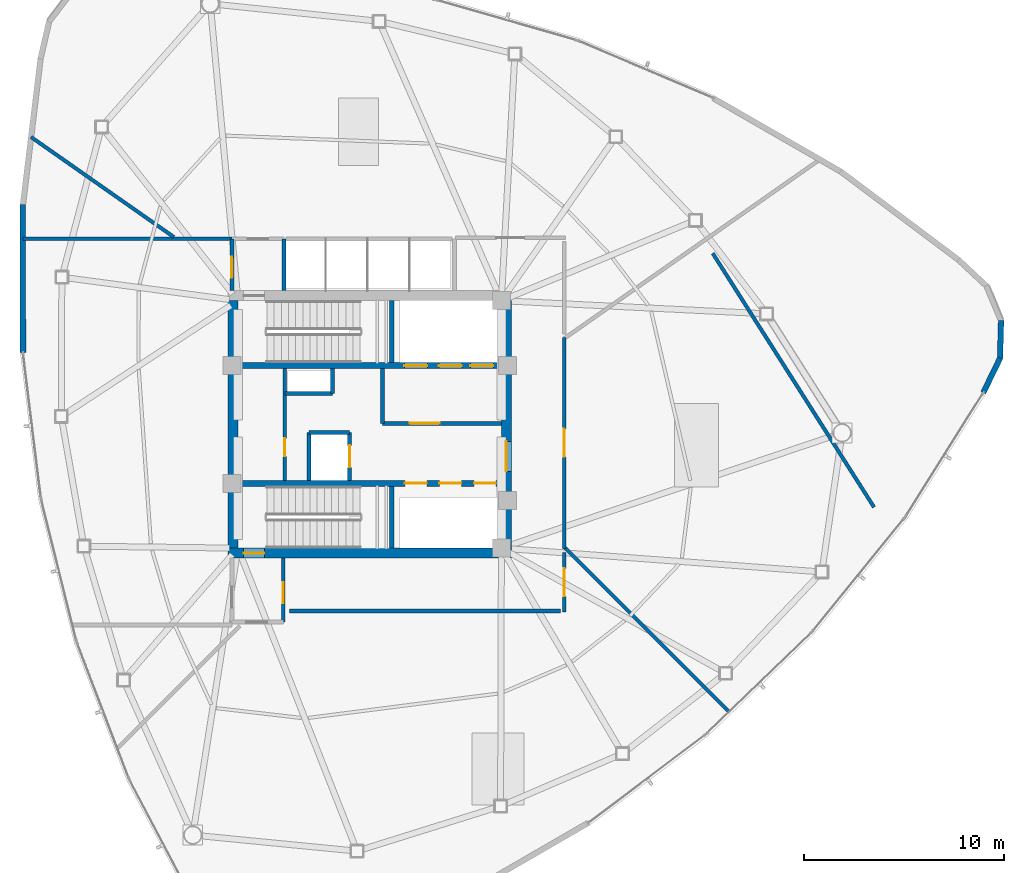
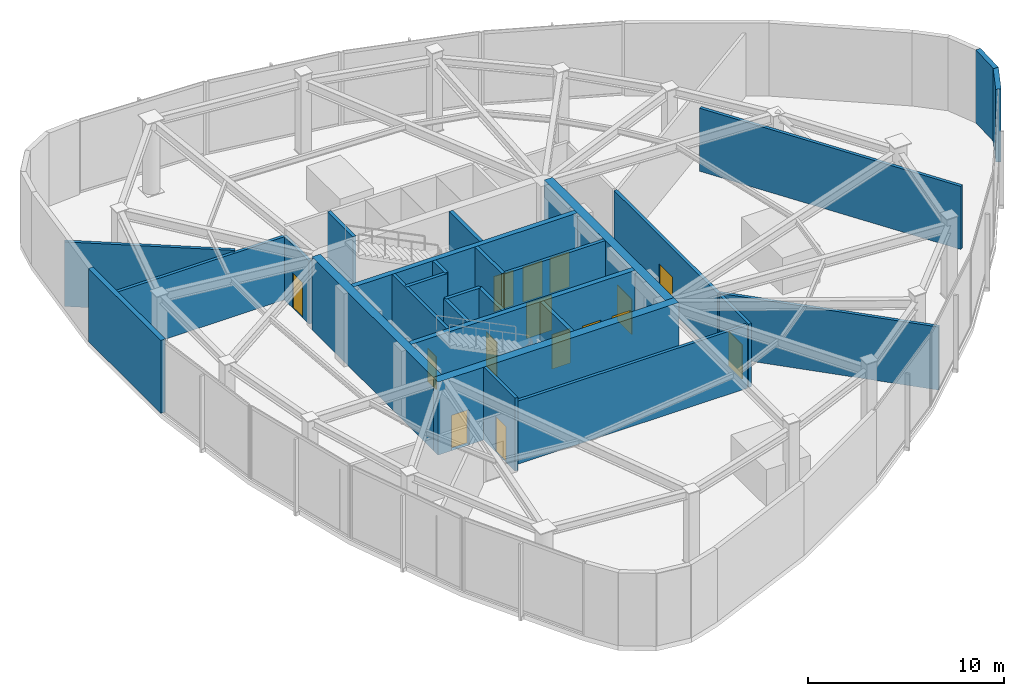
# One storey, part 11 of 17: 28 walls, 15 doors, 15 openings.
"""IFC4 building model written with IfcOpenShell, lengths in metres."""

from ifc_helpers import new_model, si_unit, direction, frame, frame_2d, origin, place, context, subcontext, project, spatial, rectangle, extrude, material, layer, layer_set, type_object, element, fill, save


model = new_model("IFC4")

# Units and contexts
model_context = context("Model", 3, precision=1e-05, world=origin(), true_north=direction((0.0, 1.0)))
body_context = subcontext(model_context, "Body", "Model", "MODEL_VIEW")
ifc_project = project(units=[si_unit("LENGTHUNIT", "METRE"), si_unit("AREAUNIT", "SQUARE_METRE"), si_unit("VOLUMEUNIT", "CUBIC_METRE"), si_unit("PLANEANGLEUNIT", "RADIAN"), si_unit("MASSUNIT", "GRAM", prefix="KILO")], contexts=[model_context])

# Site, building, storey
site_placement = place(None, origin())
site = spatial("IfcSite", under=ifc_project, at=site_placement, CompositionType="ELEMENT")
building_placement = place(site_placement, origin())
building = spatial("IfcBuilding", under=site, at=building_placement, Name="Tavelor Broadcast Tower", CompositionType="ELEMENT")
storey_placement = place(building_placement, frame((0.0, 0.0, 204.14990234375)))
storey = spatial("IfcBuildingStorey", under=building, at=storey_placement, Name="L49", CompositionType="ELEMENT", Elevation=204.14990234375)

# Wall, opening, door
ifc_material_1 = material(Name="Concrete C50/60", Category="concrete")
ifc_layer_1 = layer(ifc_material_1, 0.5)
ifc_layer_set_1 = layer_set([ifc_layer_1], Name="Concrete C50/60")
wall_type_1 = type_object("IfcWallType", Name="Core Shear Wall 500 mm", PredefinedType="SHEAR", material=ifc_layer_set_1)
wall_1_placement = place(storey_placement, frame((42.89990234375, 38.550048828125, 0.0), z_axis=(0.0, 0.0, 1.0), x_axis=(1.0, 0.0, 0.0)))
wall_1 = element("IfcWall", 1, at=wall_1_placement, inside=storey, type_object=wall_type_1, Name="L49 Central Core Shear Wall S", PredefinedType="SHEAR", context=body_context, shape_type="SweptSolid", body=[
    extrude(rectangle(XDim=14.2001953125, YDim=0.5, at=frame_2d((7.10009765625, 0.0))), origin(), (0.0, 0.0, 1.0), 4.550048828125),
])
opening_1_placement = place(wall_1_placement, frame((0.780029296875, 0.0, 0.0)))
opening_1 = element("IfcOpeningElement", 2, at=opening_1_placement, cuts=wall_1, Name="Opening DR11", PredefinedType="OPENING", context=body_context, shape_type="SweptSolid", body=[
    extrude(rectangle(XDim=1.050048828125, YDim=2.199951171875, at=frame_2d((0.52490234375, 1.10009765625))), frame((0.0, 0.260009765625, 0.0), z_axis=(0.0, -1.0, 0.0), x_axis=(1.0, 0.0, 0.0)), (0.0, 0.0, 1.0), 0.52001953125),
])
ifc_material_2 = material(Name="Steel S355", Category="steel")
door_type_1 = type_object("IfcDoorType", Name="Stair Core Fire Escape Door 1050x2200", OperationType="NOTDEFINED", PredefinedType="DOOR", material=ifc_material_2)
door_1_placement = place(opening_1_placement, origin())
door_1 = element("IfcDoor", 3, at=door_1_placement, inside=storey, type_object=door_type_1, Name="L49 Stair ST2 Protected Exit Door", OperationType="SINGLE_SWING_RIGHT", OverallHeight=2.199951171875, OverallWidth=1.050048828125, PredefinedType="DOOR", context=body_context, shape_type="SweptSolid", body=[
    extrude(rectangle(XDim=1.050048828125, YDim=2.199951171875, at=frame_2d((0.52490234375, 1.10009765625))), frame((0.0, 0.02490234375, 0.0), z_axis=(0.0, -1.0, 0.0), x_axis=(1.0, 0.0, 0.0)), (0.0, 0.0, 1.0), 0.050048828125),
])
fill(opening_1, door_1)

# Wall
wall_2_placement = place(storey_placement, frame((43.14990234375, 38.800048828125, 0.0), z_axis=(0.0, 0.0, 1.0), x_axis=(0.0, 1.0, 0.0)))
element("IfcWall", 4, at=wall_2_placement, inside=storey, type_object=wall_type_1, Name="L49 Central Core Shear Wall W", PredefinedType="SHEAR", context=body_context, shape_type="SweptSolid", body=[
    extrude(rectangle(XDim=12.39990234375, YDim=0.5, at=frame_2d((6.199951171875, 0.0))), origin(), (0.0, 0.0, 1.0), 4.550048828125),
])

# Wall, opening, door
wall_3_placement = place(storey_placement, frame((56.85009765625, 38.800048828125, 0.0), z_axis=(0.0, 0.0, 1.0), x_axis=(0.0, 1.0, 0.0)))
wall_3 = element("IfcWall", 5, at=wall_3_placement, inside=storey, type_object=wall_type_1, Name="L49 Central Core Shear Wall E", PredefinedType="SHEAR", context=body_context, shape_type="SweptSolid", body=[
    extrude(rectangle(XDim=12.39990234375, YDim=0.5, at=frame_2d((6.199951171875, 0.0))), origin(), (0.0, 0.0, 1.0), 4.550048828125),
])
opening_2_placement = place(wall_3_placement, frame((3.85009765625, 0.0, 0.0)))
opening_2 = element("IfcOpeningElement", 6, at=opening_2_placement, cuts=wall_3, Name="Opening DR14", PredefinedType="OPENING", context=body_context, shape_type="SweptSolid", body=[
    extrude(rectangle(XDim=1.5, YDim=2.199951171875, at=frame_2d((0.75, 1.10009765625))), frame((0.0, 0.260009765625, 0.0), z_axis=(0.0, -1.0, 0.0), x_axis=(1.0, 0.0, 0.0)), (0.0, 0.0, 1.0), 0.52001953125),
])
door_type_2 = type_object("IfcDoorType", Name="Firefighting Lobby Double Fire Door 1500x2200", OperationType="NOTDEFINED", PredefinedType="DOOR", material=ifc_material_2)
door_2_placement = place(opening_2_placement, origin())
door_2 = element("IfcDoor", 7, at=door_2_placement, inside=storey, type_object=door_type_2, Name="L49 Central Core Lobby Fire Door", OperationType="SINGLE_SWING_RIGHT", OverallHeight=2.199951171875, OverallWidth=1.5, PredefinedType="DOOR", context=body_context, shape_type="SweptSolid", body=[
    extrude(rectangle(XDim=1.5, YDim=2.199951171875, at=frame_2d((0.75, 1.10009765625))), frame((0.0, 0.02490234375, 0.0), z_axis=(0.0, -1.0, 0.0), x_axis=(1.0, 0.0, 0.0)), (0.0, 0.0, 1.0), 0.050048828125),
])
fill(opening_2, door_2)

# Wall, openings, doors
ifc_layer_2 = layer(ifc_material_1, 0.300048828125)
ifc_layer_set_2 = layer_set([ifc_layer_2], Name="Concrete C50/60")
wall_type_2 = type_object("IfcWallType", Name="Core Spine Shear Wall 300 mm C50", PredefinedType="SHEAR", material=ifc_layer_set_2)
wall_4_placement = place(storey_placement, frame((43.39990234375, 47.949951171875, 0.0), z_axis=(0.0, 0.0, 1.0), x_axis=(1.0, 0.0, 0.0)))
wall_4 = element("IfcWall", 8, at=wall_4_placement, inside=storey, type_object=wall_type_2, Name="L49 Central Core Shear Wall SP1", PredefinedType="SHEAR", context=body_context, shape_type="SweptSolid", body=[
    extrude(rectangle(XDim=13.2001953125, YDim=0.300048828125, at=frame_2d((6.60009765625, 0.0))), origin(), (0.0, 0.0, 1.0), 4.550048828125),
])
opening_3_placement = place(wall_4_placement, frame((8.344970703125, 0.0, 0.0)))
opening_3 = element("IfcOpeningElement", 9, at=opening_3_placement, cuts=wall_4, Name="Opening LD02", PredefinedType="OPENING", context=body_context, shape_type="SweptSolid", body=[
    extrude(rectangle(XDim=1.14990234375, YDim=2.199951171875, at=frame_2d((0.574951171875, 1.10009765625))), frame((0.0, 0.16015625, 0.0), z_axis=(0.0, -1.0, 0.0), x_axis=(1.0, 0.0, 0.0)), (0.0, 0.0, 1.0), 0.320068359375),
])
opening_4_placement = place(wall_4_placement, frame((10.06494140625, 0.0, 0.0)))
opening_4 = element("IfcOpeningElement", 10, at=opening_4_placement, cuts=wall_4, Name="Opening LD02", PredefinedType="OPENING", context=body_context, shape_type="SweptSolid", body=[
    extrude(rectangle(XDim=1.14990234375, YDim=2.199951171875, at=frame_2d((0.574951171875, 1.10009765625))), frame((0.0, 0.16015625, 0.0), z_axis=(0.0, -1.0, 0.0), x_axis=(1.0, 0.0, 0.0)), (0.0, 0.0, 1.0), 0.320068359375),
])
opening_5_placement = place(wall_4_placement, frame((11.64501953125, 0.0, 0.0)))
opening_5 = element("IfcOpeningElement", 11, at=opening_5_placement, cuts=wall_4, Name="Opening LD03", PredefinedType="OPENING", context=body_context, shape_type="SweptSolid", body=[
    extrude(rectangle(XDim=1.14990234375, YDim=2.199951171875, at=frame_2d((0.574951171875, 1.10009765625))), frame((0.0, 0.16015625, 0.0), z_axis=(0.0, -1.0, 0.0), x_axis=(1.0, 0.0, 0.0)), (0.0, 0.0, 1.0), 0.320068359375),
])
ifc_material_3 = material(Name="Reinforced Brushed Stainless Steel", Category="concrete")
door_type_3 = type_object("IfcDoorType", Name="Broadcast Goods Lift Sliding Landing Door 1250x2200", OperationType="NOTDEFINED", PredefinedType="DOOR", material=ifc_material_3)
door_3_placement = place(opening_5_placement, origin())
door_3 = element("IfcDoor", 12, at=door_3_placement, inside=storey, type_object=door_type_3, Name="L49 Lift SVL1 Sliding Landing Door", OperationType="SLIDING_TO_LEFT", OverallHeight=2.199951171875, OverallWidth=1.14990234375, PredefinedType="DOOR", context=body_context, shape_type="SweptSolid", body=[
    extrude(rectangle(XDim=1.14990234375, YDim=2.199951171875, at=frame_2d((0.574951171875, 1.10009765625))), frame((0.0, 0.02490234375, 0.0), z_axis=(0.0, -1.0, 0.0), x_axis=(1.0, 0.0, 0.0)), (0.0, 0.0, 1.0), 0.050048828125),
])
fill(opening_5, door_3)
ifc_material_4 = material(Name="Fire-Rated Stainless Steel", Category="steel")
door_type_4 = type_object("IfcDoorType", Name="Firefighting Lift Sliding Landing Door 1200x2200", OperationType="NOTDEFINED", PredefinedType="DOOR", material=ifc_material_4)
door_4_placement = place(opening_3_placement, origin())
door_4 = element("IfcDoor", 13, at=door_4_placement, inside=storey, type_object=door_type_4, Name="L49 Lift FFL1 Sliding Landing Door", OperationType="SLIDING_TO_LEFT", OverallHeight=2.199951171875, OverallWidth=1.14990234375, PredefinedType="DOOR", context=body_context, shape_type="SweptSolid", body=[
    extrude(rectangle(XDim=1.14990234375, YDim=2.199951171875, at=frame_2d((0.574951171875, 1.10009765625))), frame((0.0, 0.02490234375, 0.0), z_axis=(0.0, -1.0, 0.0), x_axis=(1.0, 0.0, 0.0)), (0.0, 0.0, 1.0), 0.050048828125),
])
fill(opening_3, door_4)
door_5_placement = place(opening_4_placement, origin())
door_5 = element("IfcDoor", 14, at=door_5_placement, inside=storey, type_object=door_type_4, Name="L49 Lift FFL2 Sliding Landing Door", OperationType="SLIDING_TO_LEFT", OverallHeight=2.199951171875, OverallWidth=1.14990234375, PredefinedType="DOOR", context=body_context, shape_type="SweptSolid", body=[
    extrude(rectangle(XDim=1.14990234375, YDim=2.199951171875, at=frame_2d((0.574951171875, 1.10009765625))), frame((0.0, 0.02490234375, 0.0), z_axis=(0.0, -1.0, 0.0), x_axis=(1.0, 0.0, 0.0)), (0.0, 0.0, 1.0), 0.050048828125),
])
fill(opening_4, door_5)

wall_5_placement = place(storey_placement, frame((43.39990234375, 42.050048828125, 0.0), z_axis=(0.0, 0.0, 1.0), x_axis=(1.0, 0.0, 0.0)))
wall_5 = element("IfcWall", 15, at=wall_5_placement, inside=storey, type_object=wall_type_2, Name="L49 Central Core Shear Wall SP2", PredefinedType="SHEAR", context=body_context, shape_type="SweptSolid", body=[
    extrude(rectangle(XDim=13.2001953125, YDim=0.300048828125, at=frame_2d((6.60009765625, 0.0))), origin(), (0.0, 0.0, 1.0), 4.550048828125),
])
opening_6_placement = place(wall_5_placement, frame((8.3701171875, 0.0, 0.0)))
opening_6 = element("IfcOpeningElement", 16, at=opening_6_placement, cuts=wall_5, Name="Opening LD01", PredefinedType="OPENING", context=body_context, shape_type="SweptSolid", body=[
    extrude(rectangle(XDim=1.10009765625, YDim=2.14990234375, at=frame_2d((0.550048828125, 1.074951171875))), frame((0.0, 0.16015625, 0.0), z_axis=(0.0, -1.0, 0.0), x_axis=(1.0, 0.0, 0.0)), (0.0, 0.0, 1.0), 0.320068359375),
])
opening_7_placement = place(wall_5_placement, frame((10.090087890625, 0.0, 0.0)))
opening_7 = element("IfcOpeningElement", 17, at=opening_7_placement, cuts=wall_5, Name="Opening LD01", PredefinedType="OPENING", context=body_context, shape_type="SweptSolid", body=[
    extrude(rectangle(XDim=1.10009765625, YDim=2.14990234375, at=frame_2d((0.550048828125, 1.074951171875))), frame((0.0, 0.16015625, 0.0), z_axis=(0.0, -1.0, 0.0), x_axis=(1.0, 0.0, 0.0)), (0.0, 0.0, 1.0), 0.320068359375),
])
opening_8_placement = place(wall_5_placement, frame((11.830078125, 0.0, 0.0)))
opening_8 = element("IfcOpeningElement", 18, at=opening_8_placement, cuts=wall_5, Name="Opening LD01", PredefinedType="OPENING", context=body_context, shape_type="SweptSolid", body=[
    extrude(rectangle(XDim=1.10009765625, YDim=2.14990234375, at=frame_2d((0.550048828125, 1.074951171875))), frame((0.0, 0.16015625, 0.0), z_axis=(0.0, -1.0, 0.0), x_axis=(1.0, 0.0, 0.0)), (0.0, 0.0, 1.0), 0.320068359375),
])
ifc_material_5 = material(Name="Brushed Stainless Steel", Category="steel")
door_type_5 = type_object("IfcDoorType", Name="Passenger Lift Sliding Landing Door 1100x2150", OperationType="NOTDEFINED", PredefinedType="DOOR", material=ifc_material_5)
door_6_placement = place(opening_6_placement, origin())
door_6 = element("IfcDoor", 19, at=door_6_placement, inside=storey, type_object=door_type_5, Name="L49 Lift PLM1 Sliding Landing Door", OperationType="SLIDING_TO_LEFT", OverallHeight=2.14990234375, OverallWidth=1.10009765625, PredefinedType="DOOR", context=body_context, shape_type="SweptSolid", body=[
    extrude(rectangle(XDim=1.10009765625, YDim=2.14990234375, at=frame_2d((0.550048828125, 1.074951171875))), frame((0.0, 0.02490234375, 0.0), z_axis=(0.0, -1.0, 0.0), x_axis=(1.0, 0.0, 0.0)), (0.0, 0.0, 1.0), 0.050048828125),
])
fill(opening_6, door_6)
door_7_placement = place(opening_7_placement, origin())
door_7 = element("IfcDoor", 20, at=door_7_placement, inside=storey, type_object=door_type_5, Name="L49 Lift PLM2 Sliding Landing Door", OperationType="SLIDING_TO_LEFT", OverallHeight=2.14990234375, OverallWidth=1.10009765625, PredefinedType="DOOR", context=body_context, shape_type="SweptSolid", body=[
    extrude(rectangle(XDim=1.10009765625, YDim=2.14990234375, at=frame_2d((0.550048828125, 1.074951171875))), frame((0.0, 0.02490234375, 0.0), z_axis=(0.0, -1.0, 0.0), x_axis=(1.0, 0.0, 0.0)), (0.0, 0.0, 1.0), 0.050048828125),
])
fill(opening_7, door_7)
door_8_placement = place(opening_8_placement, origin())
door_8 = element("IfcDoor", 21, at=door_8_placement, inside=storey, type_object=door_type_5, Name="L49 Lift PLM3 Sliding Landing Door", OperationType="SLIDING_TO_LEFT", OverallHeight=2.14990234375, OverallWidth=1.10009765625, PredefinedType="DOOR", context=body_context, shape_type="SweptSolid", body=[
    extrude(rectangle(XDim=1.10009765625, YDim=2.14990234375, at=frame_2d((0.550048828125, 1.074951171875))), frame((0.0, 0.02490234375, 0.0), z_axis=(0.0, -1.0, 0.0), x_axis=(1.0, 0.0, 0.0)), (0.0, 0.0, 1.0), 0.050048828125),
])
fill(opening_8, door_8)

# Wall, opening, door
ifc_material_6 = material(Name="Calcium Silicate Fire Board 180 mm", Category="gypsum")
ifc_layer_3 = layer(ifc_material_6, 0.179931640625)
ifc_layer_set_3 = layer_set([ifc_layer_3], Name="Calcium Silicate Fire Board 180 mm")
wall_type_3 = type_object("IfcWallType", Name="Fire-Rated Corridor Partition Wall 180 mm", PredefinedType="PARTITIONING", material=ifc_layer_set_3)
wall_6_placement = place(storey_placement, frame((45.75, 42.199951171875, 0.0), z_axis=(0.0, 0.0, 1.0), x_axis=(0.0, 1.0, 0.0)))
wall_6 = element("IfcWall", 22, at=wall_6_placement, inside=storey, type_object=wall_type_3, Name="L49 Core West Service East Wall", PredefinedType="PARTITIONING", context=body_context, shape_type="SweptSolid", body=[
    extrude(rectangle(XDim=5.60009765625, YDim=0.179931640625, at=frame_2d((2.800048828125, 0.0))), origin(), (0.0, 0.0, 1.0), 4.550048828125),
])
opening_9_placement = place(wall_6_placement, frame((1.199951171875, 0.0, 0.0)))
opening_9 = element("IfcOpeningElement", 23, at=opening_9_placement, cuts=wall_6, Name="Opening DR32", PredefinedType="OPENING", context=body_context, shape_type="SweptSolid", body=[
    extrude(rectangle(XDim=0.89990234375, YDim=2.050048828125, at=frame_2d((0.449951171875, 1.02490234375))), frame((0.0, 0.10009765625, 0.0), z_axis=(0.0, -1.0, 0.0), x_axis=(1.0, 0.0, 0.0)), (0.0, 0.0, 1.0), 0.199951171875),
])
ifc_material_7 = material(Name="Timber Solid Core Hardwood", Category="wood")
door_type_6 = type_object("IfcDoorType", Name="Accessible Washroom Door 900x2050", OperationType="NOTDEFINED", PredefinedType="DOOR", material=ifc_material_7)
door_9_placement = place(opening_9_placement, origin())
door_9 = element("IfcDoor", 24, at=door_9_placement, inside=storey, type_object=door_type_6, Name="L49 Core Plant Room Door", OperationType="SINGLE_SWING_LEFT", OverallHeight=2.050048828125, OverallWidth=0.89990234375, PredefinedType="DOOR", context=body_context, shape_type="SweptSolid", body=[
    extrude(rectangle(XDim=0.89990234375, YDim=2.050048828125, at=frame_2d((0.449951171875, 1.02490234375))), frame((0.0, 0.02490234375, 0.0), z_axis=(0.0, -1.0, 0.0), x_axis=(1.0, 0.0, 0.0)), (0.0, 0.0, 1.0), 0.050048828125),
])
fill(opening_9, door_9)

# Wall
wall_7_placement = place(storey_placement, frame((75.2724609375, 40.854736328125, 0.0), z_axis=(0.0, 0.0, 1.0), x_axis=(-0.536280870182, 0.844039589283, 0.0)))
element("IfcWall", 25, at=wall_7_placement, inside=storey, type_object=wall_type_3, Name="L49 Corner Brace Furring Wall 1", PredefinedType="PARTITIONING", context=body_context, shape_type="SweptSolid", body=[
    extrude(rectangle(XDim=15.06689453125, YDim=0.179931640625, at=frame_2d((7.533447265625, 0.0))), origin(), (0.0, 0.0, 1.0), 3.93505859375),
])

# Wall, opening, door
wall_8_placement = place(storey_placement, frame((45.679931640625, 35.10009765625, 0.0), z_axis=(0.0, 0.0, 1.0), x_axis=(0.0, 1.0, 0.0)))
wall_8 = element("IfcWall", 26, at=wall_8_placement, inside=storey, type_object=wall_type_3, Name="L49 Stair ST2 Lobby East Wall", PredefinedType="PARTITIONING", context=body_context, shape_type="SweptSolid", body=[
    extrude(rectangle(XDim=3.199951171875, YDim=0.179931640625, at=frame_2d((1.60009765625, 0.0))), origin(), (0.0, 0.0, 1.0), 4.550048828125),
])
opening_10_placement = place(wall_8_placement, frame((0.949951171875, 0.0, 0.0)))
opening_10 = element("IfcOpeningElement", 27, at=opening_10_placement, cuts=wall_8, Name="Opening DR11", PredefinedType="OPENING", context=body_context, shape_type="SweptSolid", body=[
    extrude(rectangle(XDim=1.050048828125, YDim=2.199951171875, at=frame_2d((0.52490234375, 1.10009765625))), frame((0.0, 0.10009765625, 0.0), z_axis=(0.0, -1.0, 0.0), x_axis=(1.0, 0.0, 0.0)), (0.0, 0.0, 1.0), 0.199951171875),
])
door_10_placement = place(opening_10_placement, origin())
door_10 = element("IfcDoor", 28, at=door_10_placement, inside=storey, type_object=door_type_1, Name="L49 Stair ST2 Lobby East Corridor Door", OperationType="SINGLE_SWING_LEFT", OverallHeight=2.199951171875, OverallWidth=1.050048828125, PredefinedType="DOOR", context=body_context, shape_type="SweptSolid", body=[
    extrude(rectangle(XDim=1.050048828125, YDim=2.199951171875, at=frame_2d((0.52490234375, 1.10009765625))), frame((0.0, 0.02490234375, 0.0), z_axis=(0.0, -1.0, 0.0), x_axis=(1.0, 0.0, 0.0)), (0.0, 0.0, 1.0), 0.050048828125),
])
fill(opening_10, door_10)

wall_9_placement = place(storey_placement, frame((43.10009765625, 51.699951171875, 0.0), z_axis=(0.0, 0.0, 1.0), x_axis=(0.0, 1.0, 0.0)))
wall_9 = element("IfcWall", 29, at=wall_9_placement, inside=storey, type_object=wall_type_3, Name="L49 Fire Refuge North Stair ST1 Lobby Wall", PredefinedType="PARTITIONING", context=body_context, shape_type="SweptSolid", body=[
    extrude(rectangle(XDim=2.60009765625, YDim=0.179931640625, at=frame_2d((1.300048828125, 0.0))), origin(), (0.0, 0.0, 1.0), 3.93505859375),
])
opening_11_placement = place(wall_9_placement, frame((0.64990234375, 0.0, 0.0)))
opening_11 = element("IfcOpeningElement", 30, at=opening_11_placement, cuts=wall_9, Name="Opening DR11", PredefinedType="OPENING", context=body_context, shape_type="SweptSolid", body=[
    extrude(rectangle(XDim=1.050048828125, YDim=2.199951171875, at=frame_2d((0.52490234375, 1.10009765625))), frame((0.0, 0.10009765625, 0.0), z_axis=(0.0, -1.0, 0.0), x_axis=(1.0, 0.0, 0.0)), (0.0, 0.0, 1.0), 0.199951171875),
])
door_11_placement = place(opening_11_placement, origin())
door_11 = element("IfcDoor", 31, at=door_11_placement, inside=storey, type_object=door_type_1, Name="L49 Fire Refuge Stair ST1 Lobby Door", OperationType="SINGLE_SWING_RIGHT", OverallHeight=2.199951171875, OverallWidth=1.050048828125, PredefinedType="DOOR", context=body_context, shape_type="SweptSolid", body=[
    extrude(rectangle(XDim=1.050048828125, YDim=2.199951171875, at=frame_2d((0.52490234375, 1.10009765625))), frame((0.0, 0.02490234375, 0.0), z_axis=(0.0, -1.0, 0.0), x_axis=(1.0, 0.0, 0.0)), (0.0, 0.0, 1.0), 0.050048828125),
])
fill(opening_11, door_11)

# Walls
wall_10_placement = place(storey_placement, frame((32.621826171875, 54.300048828125, 0.0), z_axis=(0.0, 0.0, 1.0), x_axis=(1.0, 0.0, 0.0)))
element("IfcWall", 32, at=wall_10_placement, inside=storey, type_object=wall_type_3, Name="L49 Fire Refuge North EI120 Wall", PredefinedType="PARTITIONING", context=body_context, shape_type="SweptSolid", body=[
    extrude(rectangle(XDim=10.478271484375, YDim=0.179931640625, at=frame_2d((5.2392578125, 0.0))), origin(), (0.0, 0.0, 1.0), 3.93505859375),
])
wall_11_placement = place(storey_placement, frame((40.189697265625, 54.389892578125, 0.0), z_axis=(0.0, 0.0, 1.0), x_axis=(-0.819137421145, 0.573597319799, 0.0)))
element("IfcWall", 33, at=wall_11_placement, inside=storey, type_object=wall_type_3, Name="L49 Plant Quadrant Fire Wall", PredefinedType="PARTITIONING", context=body_context, shape_type="SweptSolid", body=[
    extrude(rectangle(XDim=8.739990234375, YDim=0.179931640625, at=frame_2d((4.3701171875, 0.0))), origin(), (0.0, 0.0, 1.0), 4.025146484375),
])
wall_12_placement = place(storey_placement, frame((59.75, 38.85009765625, 0.0), z_axis=(0.0, 0.0, 1.0), x_axis=(0.707106781187, -0.707106781187, 0.0)))
element("IfcWall", 34, at=wall_12_placement, inside=storey, type_object=wall_type_3, Name="L49 Plant Quadrant Fire Wall", PredefinedType="PARTITIONING", context=body_context, shape_type="SweptSolid", body=[
    extrude(rectangle(XDim=11.677734375, YDim=0.179931640625, at=frame_2d((5.8388671875, 0.0))), origin(), (0.0, 0.0, 1.0), 3.93505859375),
])

# Wall, opening, door
wall_13_placement = place(storey_placement, frame((59.75, 49.3662109375, 0.0), z_axis=(0.0, 0.0, 1.0), x_axis=(0.0, -1.0, 0.0)))
wall_13 = element("IfcWall", 35, at=wall_13_placement, inside=storey, type_object=wall_type_3, Name="L49 Plant Corridor Fire Wall", PredefinedType="PARTITIONING", context=body_context, shape_type="SweptSolid", body=[
    extrude(rectangle(XDim=10.576171875, YDim=0.179931640625, at=frame_2d((5.2880859375, 0.0))), origin(), (0.0, 0.0, 1.0), 3.93505859375),
])
opening_12_placement = place(wall_13_placement, frame((4.588134765625, 0.0, 0.0)))
opening_12 = element("IfcOpeningElement", 36, at=opening_12_placement, cuts=wall_13, Name="Opening DR41", PredefinedType="OPENING", context=body_context, shape_type="SweptSolid", body=[
    extrude(rectangle(XDim=1.39990234375, YDim=2.14990234375, at=frame_2d((0.699951171875, 1.074951171875))), frame((0.0, 0.10009765625, 0.0), z_axis=(0.0, -1.0, 0.0), x_axis=(1.0, 0.0, 0.0)), (0.0, 0.0, 1.0), 0.199951171875),
])
door_type_7 = type_object("IfcDoorType", Name="Plant Room Double Fire Door 1400x2150", OperationType="NOTDEFINED", PredefinedType="DOOR", material=ifc_material_2)
door_12_placement = place(opening_12_placement, origin())
door_12 = element("IfcDoor", 37, at=door_12_placement, inside=storey, type_object=door_type_7, Name="L49 Mechanical Air Handling Plant Room Direct Corridor Door", OperationType="SINGLE_SWING_LEFT", OverallHeight=2.14990234375, OverallWidth=1.39990234375, PredefinedType="DOOR", context=body_context, shape_type="SweptSolid", body=[
    extrude(rectangle(XDim=1.39990234375, YDim=2.14990234375, at=frame_2d((0.699951171875, 1.074951171875))), frame((0.0, 0.02490234375, 0.0), z_axis=(0.0, -1.0, 0.0), x_axis=(1.0, 0.0, 0.0)), (0.0, 0.0, 1.0), 0.050048828125),
])
fill(opening_12, door_12)

wall_14_placement = place(storey_placement, frame((59.75, 38.584716796875, 0.0), z_axis=(0.0, 0.0, 1.0), x_axis=(0.0, -1.0, 0.0)))
wall_14 = element("IfcWall", 38, at=wall_14_placement, inside=storey, type_object=wall_type_3, Name="L49 Plant Corridor Fire Wall", PredefinedType="PARTITIONING", context=body_context, shape_type="SweptSolid", body=[
    extrude(rectangle(XDim=2.99462890625, YDim=0.179931640625, at=frame_2d((1.497314453125, 0.0))), origin(), (0.0, 0.0, 1.0), 3.93505859375),
])
opening_13_placement = place(wall_14_placement, frame((0.79736328125, 0.0, 0.0)))
opening_13 = element("IfcOpeningElement", 39, at=opening_13_placement, cuts=wall_14, Name="Opening DR41", PredefinedType="OPENING", context=body_context, shape_type="SweptSolid", body=[
    extrude(rectangle(XDim=1.39990234375, YDim=2.14990234375, at=frame_2d((0.699951171875, 1.074951171875))), frame((0.0, 0.10009765625, 0.0), z_axis=(0.0, -1.0, 0.0), x_axis=(1.0, 0.0, 0.0)), (0.0, 0.0, 1.0), 0.199951171875),
])
door_13_placement = place(opening_13_placement, origin())
door_13 = element("IfcDoor", 40, at=door_13_placement, inside=storey, type_object=door_type_7, Name="L49 Zone Chiller and Heat Exchanger Plant Direct Corridor Door", OperationType="SINGLE_SWING_RIGHT", OverallHeight=2.14990234375, OverallWidth=1.39990234375, PredefinedType="DOOR", context=body_context, shape_type="SweptSolid", body=[
    extrude(rectangle(XDim=1.39990234375, YDim=2.14990234375, at=frame_2d((0.699951171875, 1.074951171875))), frame((0.0, 0.02490234375, 0.0), z_axis=(0.0, -1.0, 0.0), x_axis=(1.0, 0.0, 0.0)), (0.0, 0.0, 1.0), 0.050048828125),
])
fill(opening_13, door_13)

# Walls
wall_15_placement = place(storey_placement, frame((59.570068359375, 35.64990234375, 0.0), z_axis=(0.0, 0.0, 1.0), x_axis=(-1.0, 0.0, 0.0)))
element("IfcWall", 41, at=wall_15_placement, inside=storey, type_object=wall_type_3, Name="L49 Plant Corridor Fire Wall", PredefinedType="PARTITIONING", context=body_context, shape_type="SweptSolid", body=[
    extrude(rectangle(XDim=13.580078125, YDim=0.179931640625, at=frame_2d((6.7900390625, 0.0))), origin(), (0.0, 0.0, 1.0), 3.93505859375),
])
ifc_material_8 = material(Name="Precast Concrete C40/50", Category="concrete")
ifc_layer_4 = layer(ifc_material_8, 0.280029296875)
ifc_layer_set_4 = layer_set([ifc_layer_4], Name="Precast Concrete C40/50")
wall_type_4 = type_object("IfcWallType", Name="Insulated Precast Terracotta Facade Wall 280 mm", PredefinedType="STANDARD", material=ifc_layer_set_4)
wall_16_placement = place(storey_placement, frame((32.61962890625, 56.01171875, 0.0), z_axis=(0.0, 0.0, 1.0), x_axis=(0.001285854525, -0.999999173289, 0.0)))
element("IfcWall", 42, at=wall_16_placement, inside=storey, type_object=wall_type_4, Name="L49 Rounded Corner Structural Cladding Pier 06", PredefinedType="STANDARD", context=body_context, shape_type="SweptSolid", body=[
    extrude(rectangle(XDim=7.40478515625, YDim=0.280029296875, at=frame_2d((3.702392578125, 0.0))), origin(), (0.0, 0.0, 1.0), 4.550048828125),
])
wall_17_placement = place(storey_placement, frame((80.75146484375, 46.594970703125, 0.0), z_axis=(0.0, 0.0, 1.0), x_axis=(0.437554362077, 0.89919195961, 0.0)))
element("IfcWall", 43, at=wall_17_placement, inside=storey, type_object=wall_type_4, Name="L49 Rounded Corner Structural Cladding Pier 21", PredefinedType="STANDARD", context=body_context, shape_type="SweptSolid", body=[
    extrude(rectangle(XDim=1.926025390625, YDim=0.280029296875, at=frame_2d((0.962890625, 0.0))), origin(), (0.0, 0.0, 1.0), 4.550048828125),
])
wall_18_placement = place(storey_placement, frame((81.58740234375, 48.298583984375, 0.0), z_axis=(0.0, 0.0, 1.0), x_axis=(0.028690824729, 0.999588333554, 0.0)))
element("IfcWall", 44, at=wall_18_placement, inside=storey, type_object=wall_type_4, Name="L49 Rounded Corner Structural Cladding Pier 22", PredefinedType="STANDARD", context=body_context, shape_type="SweptSolid", body=[
    extrude(rectangle(XDim=1.91455078125, YDim=0.280029296875, at=frame_2d((0.957275390625, 0.0))), origin(), (0.0, 0.0, 1.0), 4.550048828125),
])

# Wall, opening, door
ifc_material_9 = material(Name="Concrete Blockwork 200 mm", Category="masonry")
ifc_layer_5 = layer(ifc_material_9, 0.199951171875)
ifc_layer_set_5 = layer_set([ifc_layer_5], Name="Concrete Blockwork 200 mm")
wall_type_5 = type_object("IfcWallType", Name="Lift Hoistway Rated Front Wall 200 mm", PredefinedType="PARTITIONING", material=ifc_layer_set_5)
wall_19_placement = place(storey_placement, frame((49.0, 42.199951171875, 0.0), z_axis=(0.0, 0.0, 1.0), x_axis=(0.0, 1.0, 0.0)))
wall_19 = element("IfcWall", 45, at=wall_19_placement, inside=storey, type_object=wall_type_5, Name="L49 Mid-Rise Lift PLM4 Hoistway Front Wall", PredefinedType="PARTITIONING", context=body_context, shape_type="SweptSolid", body=[
    extrude(rectangle(XDim=2.400146484375, YDim=0.199951171875, at=frame_2d((1.2001953125, 0.0))), origin(), (0.0, 0.0, 1.0), 4.550048828125),
])
opening_14_placement = place(wall_19_placement, frame((0.64990234375, 0.0, 0.0)))
opening_14 = element("IfcOpeningElement", 46, at=opening_14_placement, cuts=wall_19, Name="Opening LD01", PredefinedType="OPENING", context=body_context, shape_type="SweptSolid", body=[
    extrude(rectangle(XDim=1.10009765625, YDim=2.14990234375, at=frame_2d((0.550048828125, 1.074951171875))), frame((0.0, 0.10986328125, 0.0), z_axis=(0.0, -1.0, 0.0), x_axis=(1.0, 0.0, 0.0)), (0.0, 0.0, 1.0), 0.219970703125),
])
door_14_placement = place(opening_14_placement, origin())
door_14 = element("IfcDoor", 47, at=door_14_placement, inside=storey, type_object=door_type_5, Name="L49 Lift PLM4 Sliding Landing Door", OperationType="SLIDING_TO_RIGHT", OverallHeight=2.14990234375, OverallWidth=1.10009765625, PredefinedType="DOOR", context=body_context, shape_type="SweptSolid", body=[
    extrude(rectangle(XDim=1.10009765625, YDim=2.14990234375, at=frame_2d((0.550048828125, 1.074951171875))), frame((0.0, 0.02490234375, 0.0), z_axis=(0.0, -1.0, 0.0), x_axis=(1.0, 0.0, 0.0)), (0.0, 0.0, 1.0), 0.050048828125),
])
fill(opening_14, door_14)

# Walls
ifc_layer_6 = layer(ifc_material_9, 0.199951171875)
ifc_layer_set_6 = layer_set([ifc_layer_6], Name="Concrete Blockwork 200 mm")
wall_type_6 = type_object("IfcWallType", Name="Lift and Riser Shaft Enclosure Wall 200 mm", PredefinedType="PARTITIONING", material=ifc_layer_set_6)
wall_20_placement = place(storey_placement, frame((45.699951171875, 51.699951171875, 0.0), z_axis=(0.0, 0.0, 1.0), x_axis=(0.0, 1.0, 0.0)))
element("IfcWall", 48, at=wall_20_placement, inside=storey, type_object=wall_type_6, Name="L49 High-Rise Lift Shaft West Wall", PredefinedType="PARTITIONING", context=body_context, shape_type="SweptSolid", body=[
    extrude(rectangle(XDim=2.60009765625, YDim=0.199951171875, at=frame_2d((1.300048828125, 0.0))), origin(), (0.0, 0.0, 1.0), 4.550048828125),
])
wall_21_placement = place(storey_placement, frame((45.75, 46.550048828125, 0.0), z_axis=(0.0, 0.0, 1.0), x_axis=(1.0, 0.0, 0.0)))
element("IfcWall", 49, at=wall_21_placement, inside=storey, type_object=wall_type_6, Name="L49 Riser Shaft South Wall", PredefinedType="PARTITIONING", context=body_context, shape_type="SweptSolid", body=[
    extrude(rectangle(XDim=2.39990234375, YDim=0.199951171875, at=frame_2d((1.199951171875, 0.0))), origin(), (0.0, 0.0, 1.0), 4.550048828125),
])
wall_22_placement = place(storey_placement, frame((48.14990234375, 46.550048828125, 0.0), z_axis=(0.0, 0.0, 1.0), x_axis=(0.0, 1.0, 0.0)))
element("IfcWall", 50, at=wall_22_placement, inside=storey, type_object=wall_type_6, Name="L49 Riser Shaft East Wall", PredefinedType="PARTITIONING", context=body_context, shape_type="SweptSolid", body=[
    extrude(rectangle(XDim=1.25, YDim=0.199951171875, at=frame_2d((0.625, 0.0))), origin(), (0.0, 0.0, 1.0), 4.550048828125),
])
wall_23_placement = place(storey_placement, frame((46.949951171875, 42.199951171875, 0.0), z_axis=(0.0, 0.0, 1.0), x_axis=(0.0, 1.0, 0.0)))
element("IfcWall", 51, at=wall_23_placement, inside=storey, type_object=wall_type_6, Name="L49 Mid-Rise Lift PLM4 West Wall", PredefinedType="PARTITIONING", context=body_context, shape_type="SweptSolid", body=[
    extrude(rectangle(XDim=2.400146484375, YDim=0.199951171875, at=frame_2d((1.2001953125, 0.0))), origin(), (0.0, 0.0, 1.0), 4.550048828125),
])
wall_24_placement = place(storey_placement, frame((46.949951171875, 44.60009765625, 0.0), z_axis=(0.0, 0.0, 1.0), x_axis=(1.0, 0.0, 0.0)))
element("IfcWall", 52, at=wall_24_placement, inside=storey, type_object=wall_type_6, Name="L49 Mid-Rise Lift PLM4 North Wall", PredefinedType="PARTITIONING", context=body_context, shape_type="SweptSolid", body=[
    extrude(rectangle(XDim=2.050048828125, YDim=0.199951171875, at=frame_2d((1.02490234375, 0.0))), origin(), (0.0, 0.0, 1.0), 4.550048828125),
])

# Wall, opening, door
wall_25_placement = place(storey_placement, frame((50.64990234375, 45.050048828125, 0.0), z_axis=(0.0, 0.0, 1.0), x_axis=(1.0, 0.0, 0.0)))
wall_25 = element("IfcWall", 53, at=wall_25_placement, inside=storey, type_object=wall_type_6, Name="L49 Firefighting Lobby South Wall", PredefinedType="PARTITIONING", context=body_context, shape_type="SweptSolid", body=[
    extrude(rectangle(XDim=5.9501953125, YDim=0.199951171875, at=frame_2d((2.97509765625, 0.0))), origin(), (0.0, 0.0, 1.0), 4.550048828125),
])
opening_15_placement = place(wall_25_placement, frame((1.35009765625, 0.0, 0.0)))
opening_15 = element("IfcOpeningElement", 54, at=opening_15_placement, cuts=wall_25, Name="Opening DR14", PredefinedType="OPENING", context=body_context, shape_type="SweptSolid", body=[
    extrude(rectangle(XDim=1.5, YDim=2.199951171875, at=frame_2d((0.75, 1.10009765625))), frame((0.0, 0.10986328125, 0.0), z_axis=(0.0, -1.0, 0.0), x_axis=(1.0, 0.0, 0.0)), (0.0, 0.0, 1.0), 0.219970703125),
])
door_15_placement = place(opening_15_placement, origin())
door_15 = element("IfcDoor", 55, at=door_15_placement, inside=storey, type_object=door_type_2, Name="L49 Firefighting Lobby Compartment Door", OperationType="SINGLE_SWING_LEFT", OverallHeight=2.199951171875, OverallWidth=1.5, PredefinedType="DOOR", context=body_context, shape_type="SweptSolid", body=[
    extrude(rectangle(XDim=1.5, YDim=2.199951171875, at=frame_2d((0.75, 1.10009765625))), frame((0.0, 0.02490234375, 0.0), z_axis=(0.0, -1.0, 0.0), x_axis=(1.0, 0.0, 0.0)), (0.0, 0.0, 1.0), 0.050048828125),
])
fill(opening_15, door_15)

# Walls
wall_26_placement = place(storey_placement, frame((50.64990234375, 45.050048828125, 0.0), z_axis=(0.0, 0.0, 1.0), x_axis=(0.0, 1.0, 0.0)))
element("IfcWall", 56, at=wall_26_placement, inside=storey, type_object=wall_type_6, Name="L49 Firefighting Lobby West Wall", PredefinedType="PARTITIONING", context=body_context, shape_type="SweptSolid", body=[
    extrude(rectangle(XDim=2.75, YDim=0.199951171875, at=frame_2d((1.375, 0.0))), origin(), (0.0, 0.0, 1.0), 4.550048828125),
])
ifc_material_10 = material(Name="Concrete C40/50", Category="concrete")
ifc_layer_7 = layer(ifc_material_10, 0.219970703125)
ifc_layer_set_7 = layer_set([ifc_layer_7], Name="Concrete C40/50")
wall_type_7 = type_object("IfcWallType", Name="Structural Stairwell Shear Wall 220 mm", PredefinedType="SHEAR", material=ifc_layer_set_7)
for number, where, z_axis, x_axis, name in (
    (57, (51.110107421875, 48.10009765625, 0.0), (0.0, 0.0, 1.0), (0.0, 1.0, 0.0), "L49 Stair ST1 Structural Shaft Wall"),
    (58, (51.110107421875, 38.800048828125, 0.0), (0.0, 0.0, 1.0), (0.0, 1.0, 0.0), "L49 Stair ST2 Structural Shaft Wall"),
):
    element("IfcWall", number, at=place(storey_placement, frame(where, z_axis=z_axis, x_axis=x_axis)), inside=storey, type_object=wall_type_7, Name=name, PredefinedType="SHEAR", context=body_context, shape_type="SweptSolid", body=[
        extrude(rectangle(XDim=3.099853515625, YDim=0.219970703125, at=frame_2d((1.5498046875, 0.0))), origin(), (0.0, 0.0, 1.0), 4.550048828125),
    ])

save(model, "model.ifc")
